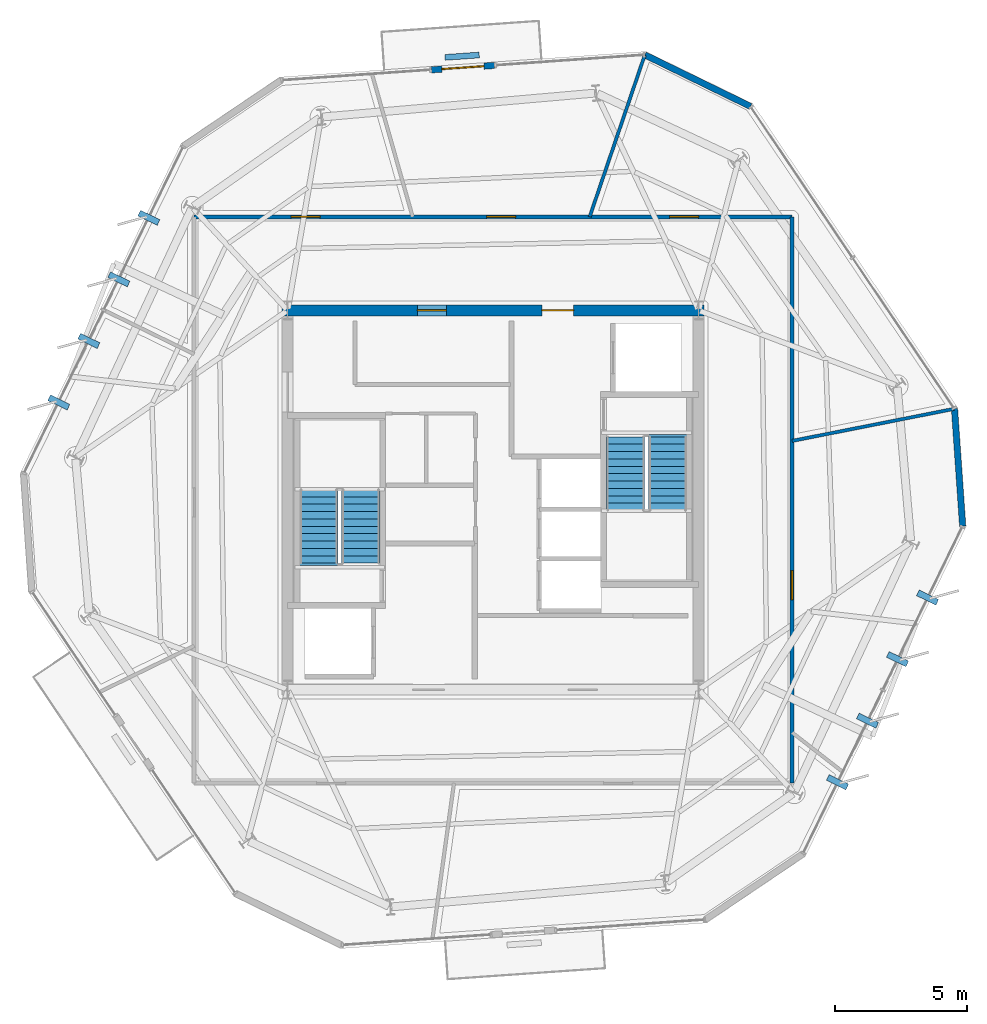
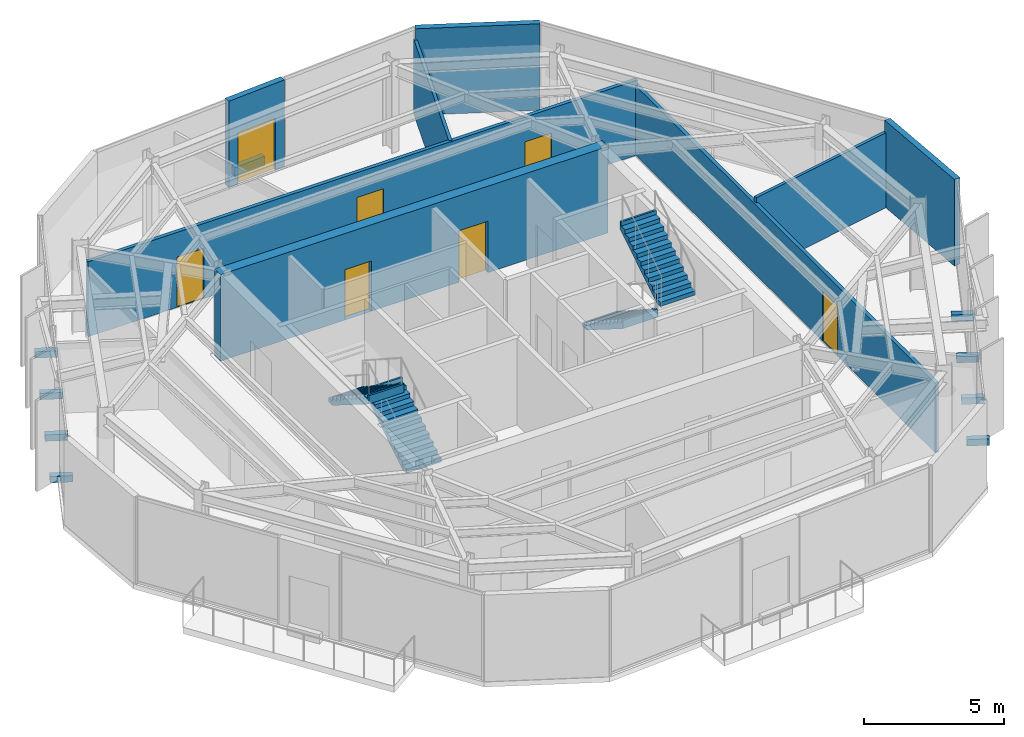
# One storey, part 8 of 13: 9 walls, 8 discrete accessories, 7 doors, 4 stair flights, 7 openings, 2 elements without a shape of their own.
"""IFC4 building model written with IfcOpenShell, lengths in metres."""

from ifc_helpers import new_model, si_unit, direction, frame, frame_2d, origin, origin_2d, place, context, subcontext, project, spatial, polyline, rectangle, outline, extrude, material, layer, layer_set, type_object, element, fill, aggregate, save


model = new_model("IFC4")

# Units and contexts
model_context = context("Model", 3, precision=1e-05, world=origin(), true_north=direction((0.0, 1.0)))
body_context = subcontext(model_context, "Body", "Model", "MODEL_VIEW")
ifc_project = project(units=[si_unit("LENGTHUNIT", "METRE"), si_unit("AREAUNIT", "SQUARE_METRE"), si_unit("VOLUMEUNIT", "CUBIC_METRE"), si_unit("PLANEANGLEUNIT", "RADIAN"), si_unit("MASSUNIT", "GRAM", prefix="KILO")], contexts=[model_context])

# Site, building, storey
site_placement = place(None, origin())
site = spatial("IfcSite", under=ifc_project, at=site_placement, CompositionType="ELEMENT")
building_placement = place(site_placement, origin())
building = spatial("IfcBuilding", under=site, at=building_placement, Name="Kranzbogen Civic Tower", CompositionType="ELEMENT")
storey_placement = place(building_placement, frame((0.0, 0.0, 282.199951171875)))
storey = spatial("IfcBuildingStorey", under=building, at=storey_placement, Name="L68", CompositionType="ELEMENT", Elevation=282.199951171875)

# Wall, openings, doors
ifc_material_1 = material(Name="Double-Stud Acoustic Gypsum Partition")
ifc_layer_1 = layer(ifc_material_1, 0.14990234375, Name="Double-Stud Acoustic Gypsum Partition")
ifc_layer_set_1 = layer_set([ifc_layer_1], Name="Double-Stud Acoustic Gypsum Partition")
wall_type_1 = type_object("IfcWallType", Name="Acoustic Corridor and Clinical Partition 150 mm", PredefinedType="PARTITIONING", material=ifc_layer_set_1)
wall_1_placement = place(storey_placement, frame((13.64990234375, 35.75, 0.0), z_axis=(0.0, 0.0, 1.0), x_axis=(1.0, 0.0, 0.0)))
wall_1 = element("IfcWall", 1, at=wall_1_placement, inside=storey, type_object=wall_type_1, Name="L68 corridor partition 01", PredefinedType="PARTITIONING", context=body_context, shape_type="SweptSolid", body=[
    extrude(rectangle(XDim=22.7001953125, YDim=0.14990234375, at=frame_2d((11.35009765625, 0.0))), origin(), (0.0, 0.0, 1.0), 3.280029296875),
])
opening_1_placement = place(wall_1_placement, frame((18.047119140625, 0.0, 0.0)))
opening_1 = element("IfcOpeningElement", 2, at=opening_1_placement, cuts=wall_1, Name="Opening D-COR60", PredefinedType="OPENING", context=body_context, shape_type="SweptSolid", body=[
    extrude(rectangle(XDim=1.10009765625, YDim=2.199951171875, at=frame_2d((0.550048828125, 1.10009765625))), frame((0.0, 0.0849609375, 0.0), z_axis=(0.0, -1.0, 0.0), x_axis=(1.0, 0.0, 0.0)), (0.0, 0.0, 1.0), 0.169921875),
])
opening_2_placement = place(wall_1_placement, frame((11.10400390625, 0.0, 0.0)))
opening_2 = element("IfcOpeningElement", 3, at=opening_2_placement, cuts=wall_1, Name="Opening D-COR60", PredefinedType="OPENING", context=body_context, shape_type="SweptSolid", body=[
    extrude(rectangle(XDim=1.10009765625, YDim=2.199951171875, at=frame_2d((0.550048828125, 1.10009765625))), frame((0.0, 0.0849609375, 0.0), z_axis=(0.0, -1.0, 0.0), x_axis=(1.0, 0.0, 0.0)), (0.0, 0.0, 1.0), 0.169921875),
])
opening_3_placement = place(wall_1_placement, frame((3.680908203125, 0.0, 0.0)))
opening_3 = element("IfcOpeningElement", 4, at=opening_3_placement, cuts=wall_1, Name="Opening D-COR60", PredefinedType="OPENING", context=body_context, shape_type="SweptSolid", body=[
    extrude(rectangle(XDim=1.10009765625, YDim=2.199951171875, at=frame_2d((0.550048828125, 1.10009765625))), frame((0.0, 0.0849609375, 0.0), z_axis=(0.0, -1.0, 0.0), x_axis=(1.0, 0.0, 0.0)), (0.0, 0.0, 1.0), 0.169921875),
])
ifc_material_2 = material(Name="Oak Timber and Fire Core", Category="wood")
door_type_1 = type_object("IfcDoorType", Name="Corridor Acoustic Fire Door 1100x2200", OperationType="NOTDEFINED", PredefinedType="DOOR", material=ifc_material_2)
door_1_placement = place(opening_1_placement, origin())
door_1 = element("IfcDoor", 5, at=door_1_placement, inside=storey, type_object=door_type_1, Name="L68 Hospitality Catering Kitchen door", OperationType="SINGLE_SWING_RIGHT", OverallHeight=2.199951171875, OverallWidth=1.10009765625, PredefinedType="DOOR", context=body_context, shape_type="SweptSolid", body=[
    extrude(rectangle(XDim=1.10009765625, YDim=2.199951171875, at=frame_2d((0.550048828125, 1.10009765625))), frame((0.0, 0.02490234375, 0.0), z_axis=(0.0, -1.0, 0.0), x_axis=(1.0, 0.0, 0.0)), (0.0, 0.0, 1.0), 0.050048828125),
])
fill(opening_1, door_1)
door_2_placement = place(opening_2_placement, origin())
door_2 = element("IfcDoor", 6, at=door_2_placement, inside=storey, type_object=door_type_1, Name="L68 Refreshment Galley Pantry door", OperationType="SINGLE_SWING_LEFT", OverallHeight=2.199951171875, OverallWidth=1.10009765625, PredefinedType="DOOR", context=body_context, shape_type="SweptSolid", body=[
    extrude(rectangle(XDim=1.10009765625, YDim=2.199951171875, at=frame_2d((0.550048828125, 1.10009765625))), frame((0.0, 0.02490234375, 0.0), z_axis=(0.0, -1.0, 0.0), x_axis=(1.0, 0.0, 0.0)), (0.0, 0.0, 1.0), 0.050048828125),
])
fill(opening_2, door_2)
door_3_placement = place(opening_3_placement, origin())
door_3 = element("IfcDoor", 7, at=door_3_placement, inside=storey, type_object=door_type_1, Name="L68 Executive Briefing Conference Room door", OperationType="SINGLE_SWING_RIGHT", OverallHeight=2.199951171875, OverallWidth=1.10009765625, PredefinedType="DOOR", context=body_context, shape_type="SweptSolid", body=[
    extrude(rectangle(XDim=1.10009765625, YDim=2.199951171875, at=frame_2d((0.550048828125, 1.10009765625))), frame((0.0, 0.02490234375, 0.0), z_axis=(0.0, -1.0, 0.0), x_axis=(1.0, 0.0, 0.0)), (0.0, 0.0, 1.0), 0.050048828125),
])
fill(opening_3, door_3)

# Wall, opening, door
wall_2_placement = place(storey_placement, frame((36.35009765625, 35.75, 0.0), z_axis=(0.0, 0.0, 1.0), x_axis=(0.0, -1.0, 0.0)))
wall_2 = element("IfcWall", 8, at=wall_2_placement, inside=storey, type_object=wall_type_1, Name="L68 corridor partition 02", PredefinedType="PARTITIONING", context=body_context, shape_type="SweptSolid", body=[
    extrude(rectangle(XDim=21.5, YDim=0.14990234375, at=frame_2d((10.75, 0.0))), origin(), (0.0, 0.0, 1.0), 3.050048828125),
])
opening_4_placement = place(wall_2_placement, frame((13.429931640625, 0.0, 0.0)))
opening_4 = element("IfcOpeningElement", 9, at=opening_4_placement, cuts=wall_2, Name="Opening D-COR60", PredefinedType="OPENING", context=body_context, shape_type="SweptSolid", body=[
    extrude(rectangle(XDim=1.10009765625, YDim=2.199951171875, at=frame_2d((0.550048828125, 1.10009765625))), frame((0.0, 0.0849609375, 0.0), z_axis=(0.0, -1.0, 0.0), x_axis=(1.0, 0.0, 0.0)), (0.0, 0.0, 1.0), 0.169921875),
])
door_4_placement = place(opening_4_placement, origin())
door_4 = element("IfcDoor", 10, at=door_4_placement, inside=storey, type_object=door_type_1, Name="L68 Staff Tea Pantry door", OperationType="SINGLE_SWING_LEFT", OverallHeight=2.199951171875, OverallWidth=1.10009765625, PredefinedType="DOOR", context=body_context, shape_type="SweptSolid", body=[
    extrude(rectangle(XDim=1.10009765625, YDim=2.199951171875, at=frame_2d((0.550048828125, 1.10009765625))), frame((0.0, 0.02490234375, 0.0), z_axis=(0.0, -1.0, 0.0), x_axis=(1.0, 0.0, 0.0)), (0.0, 0.0, 1.0), 0.050048828125),
])
fill(opening_4, door_4)

# Walls
ifc_material_3 = material(Name="Insulated Metal-Stud Gypsum Partition")
ifc_layer_2 = layer(ifc_material_3, 0.125, Name="Insulated Metal-Stud Gypsum Partition")
ifc_layer_set_2 = layer_set([ifc_layer_2], Name="Insulated Metal-Stud Gypsum Partition")
wall_type_2 = type_object("IfcWallType", Name="Acoustic Inter-Room Partition 125 mm", PredefinedType="PARTITIONING", material=ifc_layer_set_2)
wall_3_placement = place(storey_placement, frame((36.35009765625, 27.243896484375, 0.0), z_axis=(0.0, 0.0, 1.0), x_axis=(0.981011441918, 0.193949866784, 0.0)))
element("IfcWall", 11, at=wall_3_placement, inside=storey, type_object=wall_type_2, Name="L68 radial room partition 06", PredefinedType="PARTITIONING", context=body_context, shape_type="SweptSolid", body=[
    extrude(rectangle(XDim=6.264892578125, YDim=0.125, at=frame_2d((3.13232421875, 0.0))), origin(), (0.0, 0.0, 1.0), 3.280029296875),
])
wall_4_placement = place(storey_placement, frame((28.6630859375, 35.75, 0.0), z_axis=(0.0, 0.0, 1.0), x_axis=(0.322496640265, 0.946570608575, 0.0)))
element("IfcWall", 12, at=wall_4_placement, inside=storey, type_object=wall_type_2, Name="L68 radial room partition 07", PredefinedType="PARTITIONING", context=body_context, shape_type="SweptSolid", body=[
    extrude(rectangle(XDim=6.477294921875, YDim=0.125, at=frame_2d((3.23876953125, 0.0))), origin(), (0.0, 0.0, 1.0), 3.280029296875),
])
ifc_material_4 = material(Name="Architectural Precast Terracotta Concrete C40/50", Category="masonry")
ifc_layer_3 = layer(ifc_material_4, 0.219970703125, Name="Architectural Precast Terracotta Concrete C40/50")
ifc_layer_set_3 = layer_set([ifc_layer_3], Name="Architectural Precast Terracotta Concrete C40/50")
wall_type_3 = type_object("IfcWallType", Name="Architectural Tree Planter Kerb Wall 220 mm", PredefinedType="USERDEFINED", material=ifc_layer_set_3)
wall_5_placement = place(storey_placement, frame((24.469970703125, 41.89208984375, 0.0), z_axis=(0.0, 0.0, 1.0), x_axis=(-0.997592367101, -0.069350335995, 0.0)))
element("IfcWall", 13, at=wall_5_placement, inside=storey, type_object=wall_type_3, Name="L68 landscaped tree balcony planter L68-TB2", ObjectType="PLANTER_WALL", PredefinedType="USERDEFINED", context=body_context, shape_type="SweptSolid", body=[
    extrude(rectangle(XDim=1.299072265625, YDim=0.219970703125, at=frame_2d((0.6494140625, 0.0))), origin(), (0.0, 0.0, 1.0), 0.400146484375),
])

# Wall, openings, doors
ifc_material_5 = material(Name="Concrete C45/55", Category="concrete")
ifc_layer_4 = layer(ifc_material_5, 0.419921875, Name="Concrete C45/55")
ifc_layer_set_4 = layer_set([ifc_layer_4], Name="Concrete C45/55")
wall_type_4 = type_object("IfcWallType", Name="Central Core Shear Wall 420 mm", PredefinedType="SHEAR", material=ifc_layer_set_4)
wall_6_placement = place(storey_placement, frame((33.010009765625, 32.199951171875, 0.0), z_axis=(0.0, 0.0, 1.0), x_axis=(-1.0, 0.0, 0.0)))
wall_6 = element("IfcWall", 14, at=wall_6_placement, inside=storey, type_object=wall_type_4, Name="L68 central core North shear wall", PredefinedType="SHEAR", context=body_context, shape_type="SweptSolid", body=[
    extrude(rectangle(XDim=16.02001953125, YDim=0.419921875, at=frame_2d((8.010009765625, 0.0))), origin(), (0.0, 0.0, 1.0), 3.780029296875),
])
opening_5_placement = place(wall_6_placement, frame((4.9599609375, 0.0, 0.0)))
opening_5 = element("IfcOpeningElement", 15, at=opening_5_placement, cuts=wall_6, Name="Opening D-EX120", PredefinedType="OPENING", context=body_context, shape_type="SweptSolid", body=[
    extrude(rectangle(XDim=1.199951171875, YDim=2.25, at=frame_2d((0.60009765625, 1.125))), frame((0.0, 0.219970703125, 0.0), z_axis=(0.0, -1.0, 0.0), x_axis=(1.0, 0.0, 0.0)), (0.0, 0.0, 1.0), 0.43994140625),
])
opening_6_placement = place(wall_6_placement, frame((9.784912109375, 0.0, 0.0)))
opening_6 = element("IfcOpeningElement", 16, at=opening_6_placement, cuts=wall_6, Name="Opening D-COR60", PredefinedType="OPENING", context=body_context, shape_type="SweptSolid", body=[
    extrude(rectangle(XDim=1.10009765625, YDim=2.199951171875, at=frame_2d((0.550048828125, 1.10009765625))), frame((0.0, 0.219970703125, 0.0), z_axis=(0.0, -1.0, 0.0), x_axis=(1.0, 0.0, 0.0)), (0.0, 0.0, 1.0), 0.43994140625),
])
door_5_placement = place(opening_6_placement, origin())
door_5 = element("IfcDoor", 17, at=door_5_placement, inside=storey, type_object=door_type_1, Name="L68 DAT1 comms room door", OperationType="SINGLE_SWING_LEFT", OverallHeight=2.199951171875, OverallWidth=1.10009765625, PredefinedType="DOOR", context=body_context, shape_type="SweptSolid", body=[
    extrude(rectangle(XDim=1.10009765625, YDim=2.199951171875, at=frame_2d((0.550048828125, 1.10009765625))), frame((0.0, 0.02490234375, 0.0), z_axis=(0.0, -1.0, 0.0), x_axis=(1.0, 0.0, 0.0)), (0.0, 0.0, 1.0), 0.050048828125),
])
fill(opening_6, door_5)
ifc_material_6 = material(Name="Steel S355", Category="steel")
door_type_2 = type_object("IfcDoorType", Name="Exit Passageway Fire Door 1200x2250", OperationType="NOTDEFINED", PredefinedType="DOOR", material=ifc_material_6)
door_6_placement = place(opening_5_placement, origin())
door_6 = element("IfcDoor", 18, at=door_6_placement, inside=storey, type_object=door_type_2, Name="L68 East firefighting lobby corridor door", OperationType="SINGLE_SWING_RIGHT", OverallHeight=2.25, OverallWidth=1.199951171875, PredefinedType="DOOR", context=body_context, shape_type="SweptSolid", body=[
    extrude(rectangle(XDim=1.199951171875, YDim=2.25, at=frame_2d((0.60009765625, 1.125))), frame((0.0, 0.02490234375, 0.0), z_axis=(0.0, -1.0, 0.0), x_axis=(1.0, 0.0, 0.0)), (0.0, 0.0, 1.0), 0.050048828125),
])
fill(opening_5, door_6)

# Wall, opening, door
ifc_material_7 = material(Name="Pale Anodised Aluminium", Category="aluminium")
ifc_layer_5 = layer(ifc_material_7, 0.239990234375, Name="Pale Anodised Aluminium")
ifc_layer_set_5 = layer_set([ifc_layer_5], Name="Pale Anodised Aluminium")
wall_type_5 = type_object("IfcWallType", Name="Insulated Aluminium Facade Portal Wall 240 mm", PredefinedType="STANDARD", material=ifc_layer_set_5)
wall_7_placement = place(storey_placement, frame((25.049072265625, 41.498046875, 0.0), z_axis=(0.0, 0.0, 1.0), x_axis=(-0.99754775803, -0.069989073784, 0.0)))
wall_7 = element("IfcWall", 19, at=wall_7_placement, inside=storey, type_object=wall_type_5, Name="L68 exterior entrance portal wall 1", PredefinedType="STANDARD", context=body_context, shape_type="SweptSolid", body=[
    extrude(rectangle(XDim=2.39990234375, YDim=0.239990234375, at=frame_2d((1.199951171875, 0.0))), origin(), (0.0, 0.0, 1.0), 3.780029296875),
])
opening_7_placement = place(wall_7_placement, frame((0.39990234375, 0.0, 0.0)))
opening_7 = element("IfcOpeningElement", 20, at=opening_7_placement, cuts=wall_7, Name="Opening D-TER", PredefinedType="OPENING", context=body_context, shape_type="SweptSolid", body=[
    extrude(rectangle(XDim=1.60009765625, YDim=2.25, at=frame_2d((0.800048828125, 1.125))), frame((0.0, 0.1298828125, 0.0), z_axis=(0.0, -1.0, 0.0), x_axis=(1.0, 0.0, 0.0)), (0.0, 0.0, 1.0), 0.260009765625),
])
ifc_material_8 = material(Name="Anodised Bronze and Triple Glass", Category="glass")
door_type_3 = type_object("IfcDoorType", Name="Glazed Terrace and Balcony Double Door 1600x2250", OperationType="DOUBLE_DOOR_SINGLE_SWING", PredefinedType="DOOR", material=ifc_material_8)
door_7_placement = place(opening_7_placement, frame((1.60009765625, 0.0, 0.0), z_axis=(0.0, 0.0, 1.0), x_axis=(-1.0, 0.0, 0.0)))
door_7 = element("IfcDoor", 21, at=door_7_placement, inside=storey, type_object=door_type_3, Name="L68 tree balcony access door L68-TB2", OperationType="DOUBLE_DOOR_SINGLE_SWING", OverallHeight=2.25, OverallWidth=1.60009765625, PredefinedType="DOOR", context=body_context, shape_type="SweptSolid", body=[
    extrude(rectangle(XDim=1.60009765625, YDim=2.25, at=frame_2d((0.800048828125, 1.125))), frame((0.0, 0.02490234375, 0.0), z_axis=(0.0, -1.0, 0.0), x_axis=(1.0, 0.0, 0.0)), (0.0, 0.0, 1.0), 0.050048828125),
])
fill(opening_7, door_7)

# Walls
wall_8_placement = place(storey_placement, frame((42.822998046875, 24.009033203125, 0.0), z_axis=(0.0, 0.0, 1.0), x_axis=(-0.069447662525, 0.997585596413, 0.0)))
element("IfcWall", 22, at=wall_8_placement, inside=storey, type_object=wall_type_5, Name="L68 chamfered corner facade spandrel 5", PredefinedType="STANDARD", context=body_context, shape_type="SweptSolid", body=[
    extrude(rectangle(XDim=4.464599609375, YDim=0.239990234375, at=frame_2d((2.232421875, 0.0))), origin(), (0.0, 0.0, 1.0), 3.780029296875),
])
wall_9_placement = place(storey_placement, frame((34.77001953125, 39.93994140625, 0.0), z_axis=(0.0, 0.0, 1.0), x_axis=(-0.898770548201, 0.438419321754, 0.0)))
element("IfcWall", 23, at=wall_9_placement, inside=storey, type_object=wall_type_5, Name="L68 chamfered corner facade spandrel 6", PredefinedType="STANDARD", context=body_context, shape_type="SweptSolid", body=[
    extrude(rectangle(XDim=4.4638671875, YDim=0.239990234375, at=frame_2d((2.23193359375, 0.0))), origin(), (0.0, 0.0, 1.0), 3.780029296875),
])

# Stair, stair flights
ifc_material_9 = material(Name="Precast concrete C40/50", Category="concrete")
stair_type_1 = type_object("IfcStairType", Name="Tower Core Pressurized Dogleg Stair 1450", PredefinedType="HALF_TURN_STAIR", material=ifc_material_9)
stair_1_placement = place(storey_placement, origin())
stair_1 = element("IfcStair", 24, at=stair_1_placement, inside=storey, type_object=stair_type_1, Name="L68 Tower Core Pressurized Stair 1", PredefinedType="HALF_TURN_STAIR")
stair_flight_type = type_object("IfcStairFlightType", Name="Precast Concrete Stair Flight R180", PredefinedType="STRAIGHT", material=ifc_material_9)
stair_flight_1_placement = place(storey_placement, frame((19.97509765625, 22.60009765625, 0.0), z_axis=(0.0, 0.0, 1.0), x_axis=(0.0, 1.0, 0.0)))
stair_flight_1 = element("IfcStairFlight", 25, at=stair_flight_1_placement, type_object=stair_flight_type, Name="ST-T1 flight 1", NumberOfRisers=11, NumberOfTreads=10, PredefinedType="STRAIGHT", RiserHeight=0.181818182, TreadLength=0.28, context=body_context, shape_type="SweptSolid", body=[
    extrude(outline(polyline([(0.0, 0.0), (0.0, 0.181884765625), (0.280029296875, 0.181884765625), (0.280029296875, 0.363525390625), (0.56005859375, 0.363525390625), (0.56005859375, 0.54541015625), (0.840087890625, 0.54541015625), (0.840087890625, 0.727294921875), (1.1201171875, 0.727294921875), (1.1201171875, 0.9091796875), (1.39990234375, 0.9091796875), (1.39990234375, 1.0908203125), (1.679931640625, 1.0908203125), (1.679931640625, 1.272705078125), (1.9599609375, 1.272705078125), (1.9599609375, 1.45458984375), (2.239990234375, 1.45458984375), (2.239990234375, 1.636474609375), (2.52001953125, 1.636474609375), (2.52001953125, 1.818115234375), (2.800048828125, 1.818115234375), (2.800048828125, 2.0), (2.880126953125, 2.0), (2.880126953125, 1.639404296875), (0.275146484375, 0.0), (0.0, 0.0)])), frame((0.0, 0.72509765625, 0.0), z_axis=(0.0, -1.0, 0.0), x_axis=(1.0, 0.0, 0.0)), (0.0, 0.0, 1.0), 1.449951171875),
])
stair_flight_2_placement = place(storey_placement, frame((18.375, 25.39990234375, 2.0), z_axis=(0.0, 0.0, 1.0), x_axis=(0.0, -1.0, 0.0)))
stair_flight_2 = element("IfcStairFlight", 26, at=stair_flight_2_placement, type_object=stair_flight_type, Name="ST-T1 flight 2", NumberOfRisers=11, NumberOfTreads=10, PredefinedType="STRAIGHT", RiserHeight=0.181818182, TreadLength=0.28, context=body_context, shape_type="SweptSolid", body=[
    extrude(outline(polyline([(0.0, 0.0), (0.0, 0.181884765625), (0.280029296875, 0.181884765625), (0.280029296875, 0.363525390625), (0.56005859375, 0.363525390625), (0.56005859375, 0.54541015625), (0.840087890625, 0.54541015625), (0.840087890625, 0.727294921875), (1.1201171875, 0.727294921875), (1.1201171875, 0.9091796875), (1.39990234375, 0.9091796875), (1.39990234375, 1.0908203125), (1.679931640625, 1.0908203125), (1.679931640625, 1.272705078125), (1.9599609375, 1.272705078125), (1.9599609375, 1.45458984375), (2.239990234375, 1.45458984375), (2.239990234375, 1.636474609375), (2.52001953125, 1.636474609375), (2.52001953125, 1.818115234375), (2.800048828125, 1.818115234375), (2.800048828125, 2.0), (2.880126953125, 2.0), (2.880126953125, 1.639404296875), (0.275146484375, 0.0), (0.0, 0.0)])), frame((0.0, 0.72509765625, 0.0), z_axis=(0.0, -1.0, 0.0), x_axis=(1.0, 0.0, 0.0)), (0.0, 0.0, 1.0), 1.449951171875),
])
aggregate(stair_1, [stair_flight_1, stair_flight_2])

stair_type_2 = type_object("IfcStairType", Name="Tower Core Secondary Dogleg Stair 1450", PredefinedType="HALF_TURN_STAIR", material=ifc_material_9)
stair_2_placement = place(storey_placement, origin())
stair_2 = element("IfcStair", 27, at=stair_2_placement, inside=storey, type_object=stair_type_2, Name="L68 Tower Core Pressurized Stair 2", PredefinedType="HALF_TURN_STAIR")
stair_flight_3_placement = place(storey_placement, frame((30.02490234375, 27.39990234375, 0.0), z_axis=(0.0, 0.0, 1.0), x_axis=(0.0, -1.0, 0.0)))
stair_flight_3 = element("IfcStairFlight", 28, at=stair_flight_3_placement, type_object=stair_flight_type, Name="ST-T2 flight 1", NumberOfRisers=11, NumberOfTreads=10, PredefinedType="STRAIGHT", RiserHeight=0.181818182, TreadLength=0.28, context=body_context, shape_type="SweptSolid", body=[
    extrude(outline(polyline([(0.0, 0.0), (0.0, 0.181884765625), (0.280029296875, 0.181884765625), (0.280029296875, 0.363525390625), (0.56005859375, 0.363525390625), (0.56005859375, 0.54541015625), (0.840087890625, 0.54541015625), (0.840087890625, 0.727294921875), (1.1201171875, 0.727294921875), (1.1201171875, 0.9091796875), (1.39990234375, 0.9091796875), (1.39990234375, 1.0908203125), (1.679931640625, 1.0908203125), (1.679931640625, 1.272705078125), (1.9599609375, 1.272705078125), (1.9599609375, 1.45458984375), (2.239990234375, 1.45458984375), (2.239990234375, 1.636474609375), (2.52001953125, 1.636474609375), (2.52001953125, 1.818115234375), (2.800048828125, 1.818115234375), (2.800048828125, 2.0), (2.880126953125, 2.0), (2.880126953125, 1.639404296875), (0.275146484375, 0.0), (0.0, 0.0)])), frame((0.0, 0.72509765625, 0.0), z_axis=(0.0, -1.0, 0.0), x_axis=(1.0, 0.0, 0.0)), (0.0, 0.0, 1.0), 1.449951171875),
])
stair_flight_4_placement = place(storey_placement, frame((31.625, 24.60009765625, 2.0), z_axis=(0.0, 0.0, 1.0), x_axis=(0.0, 1.0, 0.0)))
stair_flight_4 = element("IfcStairFlight", 29, at=stair_flight_4_placement, type_object=stair_flight_type, Name="ST-T2 flight 2", NumberOfRisers=11, NumberOfTreads=10, PredefinedType="STRAIGHT", RiserHeight=0.181818182, TreadLength=0.28, context=body_context, shape_type="SweptSolid", body=[
    extrude(outline(polyline([(0.0, 0.0), (0.0, 0.181884765625), (0.280029296875, 0.181884765625), (0.280029296875, 0.363525390625), (0.56005859375, 0.363525390625), (0.56005859375, 0.54541015625), (0.840087890625, 0.54541015625), (0.840087890625, 0.727294921875), (1.1201171875, 0.727294921875), (1.1201171875, 0.9091796875), (1.39990234375, 0.9091796875), (1.39990234375, 1.0908203125), (1.679931640625, 1.0908203125), (1.679931640625, 1.272705078125), (1.9599609375, 1.272705078125), (1.9599609375, 1.45458984375), (2.239990234375, 1.45458984375), (2.239990234375, 1.636474609375), (2.52001953125, 1.636474609375), (2.52001953125, 1.818115234375), (2.800048828125, 1.818115234375), (2.800048828125, 2.0), (2.880126953125, 2.0), (2.880126953125, 1.639404296875), (0.275146484375, 0.0), (0.0, 0.0)])), frame((0.0, 0.72509765625, 0.0), z_axis=(0.0, -1.0, 0.0), x_axis=(1.0, 0.0, 0.0)), (0.0, 0.0, 1.0), 1.449951171875),
])
aggregate(stair_2, [stair_flight_3, stair_flight_4])

# Discrete accessories
discrete_accessory_type = type_object("IfcDiscreteAccessoryType", Name="Structural Curtain-Wall Fin Support Bracket", PredefinedType="BRACKET", material=ifc_material_6)
for number, where, z_axis, x_axis, name in (
    (30, (11.929931640625, 35.712890625, -0.25), (0.0, 0.0, 1.0), (-0.898794046299, 0.438371146789, 0.0), "L68 facade fin support bracket F2-1"),
    (31, (10.791015625, 33.376953125, -0.25), (0.0, 0.0, 1.0), (-0.898794046299, 0.438371146789, 0.0), "L68 facade fin support bracket F2-2"),
    (32, (9.65087890625, 31.0400390625, -0.25), (0.0, 0.0, 1.0), (-0.898794046299, 0.438371146789, 0.0), "L68 facade fin support bracket F2-3"),
    (33, (8.510986328125, 28.702880859375, -0.25), (0.0, 0.0, 1.0), (-0.898794046299, 0.438371146789, 0.0), "L68 facade fin support bracket F2-4"),
    (34, (38.070068359375, 14.287109375, -0.25), (0.0, 0.0, 1.0), (0.898794046299, -0.438371146789, 0.0), "L68 facade fin support bracket F5-1"),
    (35, (39.208984375, 16.623046875, -0.25), (0.0, 0.0, 1.0), (0.898794046299, -0.438371146789, 0.0), "L68 facade fin support bracket F5-2"),
    (36, (40.34912109375, 18.9599609375, -0.25), (0.0, 0.0, 1.0), (0.898794046299, -0.438371146789, 0.0), "L68 facade fin support bracket F5-3"),
    (37, (41.489013671875, 21.297119140625, -0.25), (0.0, 0.0, 1.0), (0.898794046299, -0.438371146789, 0.0), "L68 facade fin support bracket F5-4"),
):
    element("IfcDiscreteAccessory", number, at=place(storey_placement, frame(where, z_axis=z_axis, x_axis=x_axis)), inside=storey, type_object=discrete_accessory_type, Name=name, PredefinedType="BRACKET", context=body_context, shape_type="SweptSolid", body=[
        extrude(rectangle(XDim=0.820068359375, YDim=0.239990234375, at=origin_2d()), origin(), (0.0, 0.0, 1.0), 0.280029296875),
    ])

save(model, "model.ifc")
